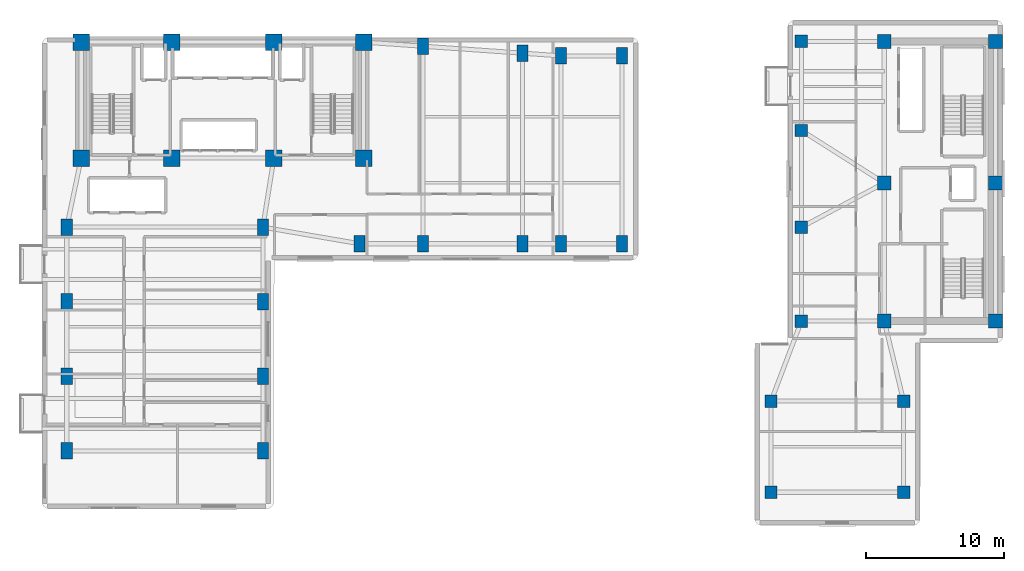
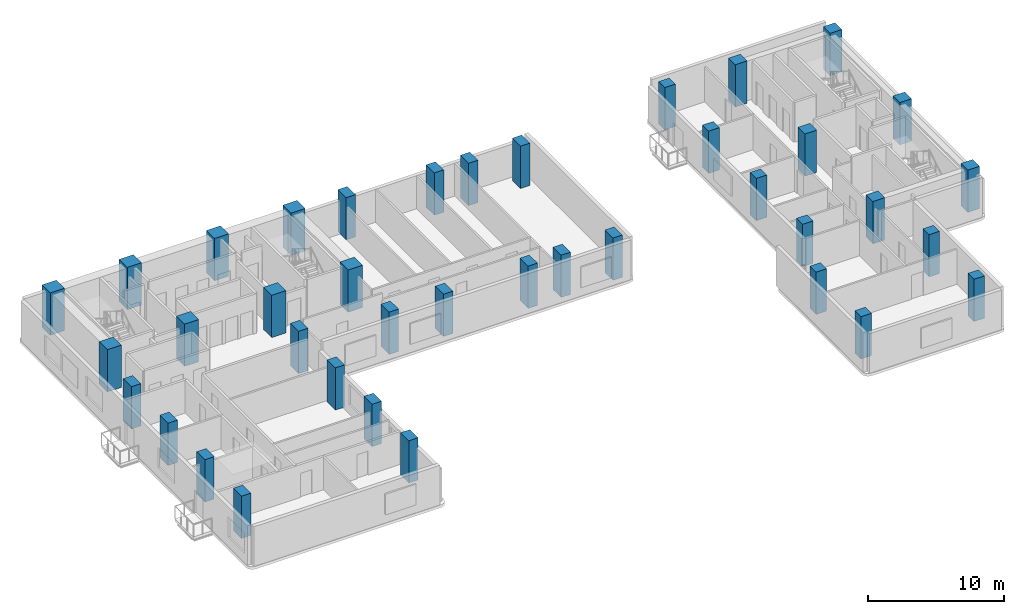
# One storey, part 1 of 16: 39 columns.
"""IFC4 building model written with IfcOpenShell, lengths in metres."""

from ifc_helpers import new_model, si_unit, direction, frame, origin, origin_2d, place, context, subcontext, project, spatial, rectangle, extrude, material, material_profile, profile_set, type_object, element, save


model = new_model("IFC4")

# Units and contexts
model_context = context("Model", 3, precision=1e-05, world=origin(), true_north=direction((0.0, 1.0)))
body_context = subcontext(model_context, "Body", "Model", "MODEL_VIEW")
ifc_project = project(units=[si_unit("LENGTHUNIT", "METRE"), si_unit("AREAUNIT", "SQUARE_METRE"), si_unit("VOLUMEUNIT", "CUBIC_METRE"), si_unit("PLANEANGLEUNIT", "RADIAN"), si_unit("MASSUNIT", "GRAM", prefix="KILO")], contexts=[model_context])

# Site, building, storey
site_placement = place(None, origin())
site = spatial("IfcSite", under=ifc_project, at=site_placement, CompositionType="ELEMENT")
building_placement = place(site_placement, origin())
building = spatial("IfcBuilding", under=site, at=building_placement, Name="Kuzgunbayir Cultural Tower", CompositionType="ELEMENT")
storey_placement = place(building_placement, frame((0.0, 0.0, 75.60009765625)))
storey = spatial("IfcBuildingStorey", under=building, at=storey_placement, Name="L21", CompositionType="ELEMENT", Elevation=75.60009765625)

# Columns
ifc_material = material(Name="Concrete C60/75", Category="concrete")
ifc_material_profile_1 = material_profile(ifc_material, rectangle(XDim=1.199951171875, YDim=1.199951171875, at=origin_2d()), Name="RC 1200x1200")
ifc_profile_set_1 = profile_set([ifc_material_profile_1], Name="Concrete C60/75")
column_type_1 = type_object("IfcColumnType", Name="COL-CORE-1200", PredefinedType="COLUMN", material=ifc_profile_set_1)
for number, where, z_axis, x_axis, name in (
    (1, (6.449951171875, 33.800048828125, 0.0), (0.0, 0.0, 1.0), (1.0, 0.0, 0.0), "L21 T1 Core Boundary Column CC1-1"),
    (2, (13.0, 33.800048828125, 0.0), (0.0, 0.0, 1.0), (1.0, 0.0, 0.0), "L21 T1 Core Boundary Column CC1-2"),
    (3, (20.39990234375, 33.800048828125, 0.0), (0.0, 0.0, 1.0), (1.0, 0.0, 0.0), "L21 T1 Core Boundary Column CC1-3"),
    (4, (26.89990234375, 33.800048828125, 0.0), (0.0, 0.0, 1.0), (1.0, 0.0, 0.0), "L21 T1 Core Boundary Column CC1-4"),
    (5, (6.449951171875, 42.199951171875, 0.0), (0.0, 0.0, 1.0), (1.0, 0.0, 0.0), "L21 T1 Core Boundary Column CC1-5"),
    (6, (13.0, 42.199951171875, 0.0), (0.0, 0.0, 1.0), (1.0, 0.0, 0.0), "L21 T1 Core Boundary Column CC1-6"),
    (7, (20.39990234375, 42.199951171875, 0.0), (0.0, 0.0, 1.0), (1.0, 0.0, 0.0), "L21 T1 Core Boundary Column CC1-7"),
    (8, (26.89990234375, 42.199951171875, 0.0), (0.0, 0.0, 1.0), (1.0, 0.0, 0.0), "L21 T1 Core Boundary Column CC1-8"),
):
    element("IfcColumn", number, at=place(storey_placement, frame(where, z_axis=z_axis, x_axis=x_axis)), inside=storey, type_object=column_type_1, Name=name, PredefinedType="COLUMN", context=body_context, shape_type="SweptSolid", body=[
        extrude(rectangle(XDim=1.199951171875, YDim=1.199951171875, at=origin_2d()), origin(), (0.0, 0.0, 1.0), 3.7998046875),
    ])
ifc_material_profile_2 = material_profile(ifc_material, rectangle(XDim=0.800048828125, YDim=1.199951171875, at=origin_2d()), Name="RC 1200x800")
ifc_profile_set_2 = profile_set([ifc_material_profile_2], Name="Concrete C60/75")
column_type_2 = type_object("IfcColumnType", Name="COL-T1-1200x800", PredefinedType="COLUMN", material=ifc_profile_set_2)
for number, where, z_axis, x_axis, name in (
    (9, (5.39990234375, 12.60009765625, 0.0), (0.0, 0.0, 1.0), (1.0, 0.0, 0.0), "L21 Tower 1 Wing A Column T1A-W-1"),
    (10, (19.60009765625, 12.60009765625, 0.0), (0.0, 0.0, 1.0), (1.0, 0.0, 0.0), "L21 Tower 1 Wing A Column T1A-E-1"),
    (11, (5.39990234375, 18.0, 0.0), (0.0, 0.0, 1.0), (1.0, 0.0, 0.0), "L21 Tower 1 Wing A Column T1A-W-2"),
    (12, (19.60009765625, 18.0, 0.0), (0.0, 0.0, 1.0), (1.0, 0.0, 0.0), "L21 Tower 1 Wing A Column T1A-E-2"),
    (13, (5.39990234375, 23.39990234375, 0.0), (0.0, 0.0, 1.0), (1.0, 0.0, 0.0), "L21 Tower 1 Wing A Column T1A-W-3"),
    (14, (19.60009765625, 23.39990234375, 0.0), (0.0, 0.0, 1.0), (1.0, 0.0, 0.0), "L21 Tower 1 Wing A Column T1A-E-3"),
    (15, (5.39990234375, 28.800048828125, 0.0), (0.0, 0.0, 1.0), (1.0, 0.0, 0.0), "L21 Tower 1 Wing A Column T1A-W-4"),
    (16, (19.60009765625, 28.800048828125, 0.0), (0.0, 0.0, 1.0), (1.0, 0.0, 0.0), "L21 Tower 1 Wing A Column T1A-E-4"),
    (17, (26.60009765625, 27.60009765625, 0.0), (0.0, 0.0, 1.0), (1.0, 0.0, 0.0), "L21 Tower 1 Wing B Column T1B-1-1"),
    (18, (31.199951171875, 27.60009765625, 0.0), (0.0, 0.0, 1.0), (1.0, 0.0, 0.0), "L21 Tower 1 Wing B Column T1B-2-1"),
    (19, (31.199951171875, 41.89990234375, 0.0), (0.0, 0.0, 1.0), (1.0, 0.0, 0.0), "L21 Tower 1 Wing B Column T1B-2-2"),
    (20, (38.39990234375, 27.60009765625, 0.0), (0.0, 0.0, 1.0), (1.0, 0.0, 0.0), "L21 Tower 1 Wing B Column T1B-3-1"),
    (21, (38.39990234375, 41.39990234375, 0.0), (0.0, 0.0, 1.0), (1.0, 0.0, 0.0), "L21 Tower 1 Wing B Column T1B-3-2"),
    (22, (41.199951171875, 27.60009765625, 0.0), (0.0, 0.0, 1.0), (1.0, 0.0, 0.0), "L21 Tower 1 Wing B Column T1B-4-1"),
    (23, (41.199951171875, 41.199951171875, 0.0), (0.0, 0.0, 1.0), (1.0, 0.0, 0.0), "L21 Tower 1 Wing B Column T1B-4-2"),
    (24, (45.60009765625, 27.60009765625, 0.0), (0.0, 0.0, 1.0), (1.0, 0.0, 0.0), "L21 Tower 1 Wing B Column T1B-5-1"),
    (25, (45.60009765625, 41.199951171875, 0.0), (0.0, 0.0, 1.0), (1.0, 0.0, 0.0), "L21 Tower 1 Wing B Column T1B-5-2"),
):
    element("IfcColumn", number, at=place(storey_placement, frame(where, z_axis=z_axis, x_axis=x_axis)), inside=storey, type_object=column_type_2, Name=name, PredefinedType="COLUMN", context=body_context, shape_type="SweptSolid", body=[
        extrude(rectangle(XDim=0.800048828125, YDim=1.199951171875, at=origin_2d()), origin(), (0.0, 0.0, 1.0), 3.7998046875),
    ])
ifc_material_profile_3 = material_profile(ifc_material, rectangle(XDim=1.0, YDim=1.0, at=origin_2d()), Name="RC 1000x1000")
ifc_profile_set_3 = profile_set([ifc_material_profile_3], Name="Concrete C60/75")
column_type_3 = type_object("IfcColumnType", Name="COL-T2-1000", PredefinedType="COLUMN", material=ifc_profile_set_3)
for number, where, z_axis, x_axis, name in (
    (26, (64.60009765625, 22.0, 0.0), (0.0, 0.0, 1.0), (1.0, 0.0, 0.0), "L21 T2 Core Boundary Column CC2-1"),
    (27, (72.64990234375, 22.0, 0.0), (0.0, 0.0, 1.0), (1.0, 0.0, 0.0), "L21 T2 Core Boundary Column CC2-2"),
    (28, (64.60009765625, 32.0, 0.0), (0.0, 0.0, 1.0), (1.0, 0.0, 0.0), "L21 T2 Core Boundary Column CC2-3"),
    (29, (72.64990234375, 32.0, 0.0), (0.0, 0.0, 1.0), (1.0, 0.0, 0.0), "L21 T2 Core Boundary Column CC2-4"),
    (30, (64.60009765625, 42.25, 0.0), (0.0, 0.0, 1.0), (1.0, 0.0, 0.0), "L21 T2 Core Boundary Column CC2-5"),
    (31, (72.64990234375, 42.25, 0.0), (0.0, 0.0, 1.0), (1.0, 0.0, 0.0), "L21 T2 Core Boundary Column CC2-6"),
):
    element("IfcColumn", number, at=place(storey_placement, frame(where, z_axis=z_axis, x_axis=x_axis)), inside=storey, type_object=column_type_3, Name=name, PredefinedType="COLUMN", context=body_context, shape_type="SweptSolid", body=[
        extrude(rectangle(XDim=1.0, YDim=1.0, at=origin_2d()), origin(), (0.0, 0.0, 1.0), 3.7998046875),
    ])
ifc_material_profile_4 = material_profile(ifc_material, rectangle(XDim=0.89990234375, YDim=0.89990234375, at=origin_2d()), Name="RC 900x900")
ifc_profile_set_4 = profile_set([ifc_material_profile_4], Name="Concrete C60/75")
column_type_4 = type_object("IfcColumnType", Name="COL-T2-900", PredefinedType="COLUMN", material=ifc_profile_set_4)
for number, where, z_axis, x_axis, name in (
    (32, (58.60009765625, 22.0, 0.0), (0.0, 0.0, 1.0), (1.0, 0.0, 0.0), "L21 Companion Wing A Column T2A-W-1"),
    (33, (58.60009765625, 28.800048828125, 0.0), (0.0, 0.0, 1.0), (1.0, 0.0, 0.0), "L21 Companion Wing A Column T2A-W-2"),
    (34, (58.60009765625, 35.800048828125, 0.0), (0.0, 0.0, 1.0), (1.0, 0.0, 0.0), "L21 Companion Wing A Column T2A-W-3"),
    (35, (58.60009765625, 42.25, 0.0), (0.0, 0.0, 1.0), (1.0, 0.0, 0.0), "L21 Companion Wing A Column T2A-W-4"),
    (36, (56.39990234375, 9.60009765625, 0.0), (0.0, 0.0, 1.0), (1.0, 0.0, 0.0), "L21 Companion Wing B Column T2B-1-1"),
    (37, (56.39990234375, 16.199951171875, 0.0), (0.0, 0.0, 1.0), (1.0, 0.0, 0.0), "L21 Companion Wing B Column T2B-1-2"),
    (38, (66.0, 9.60009765625, 0.0), (0.0, 0.0, 1.0), (1.0, 0.0, 0.0), "L21 Companion Wing B Column T2B-2-1"),
    (39, (66.0, 16.199951171875, 0.0), (0.0, 0.0, 1.0), (1.0, 0.0, 0.0), "L21 Companion Wing B Column T2B-2-2"),
):
    element("IfcColumn", number, at=place(storey_placement, frame(where, z_axis=z_axis, x_axis=x_axis)), inside=storey, type_object=column_type_4, Name=name, PredefinedType="COLUMN", context=body_context, shape_type="SweptSolid", body=[
        extrude(rectangle(XDim=0.89990234375, YDim=0.89990234375, at=origin_2d()), origin(), (0.0, 0.0, 1.0), 3.7998046875),
    ])

save(model, "model.ifc")
